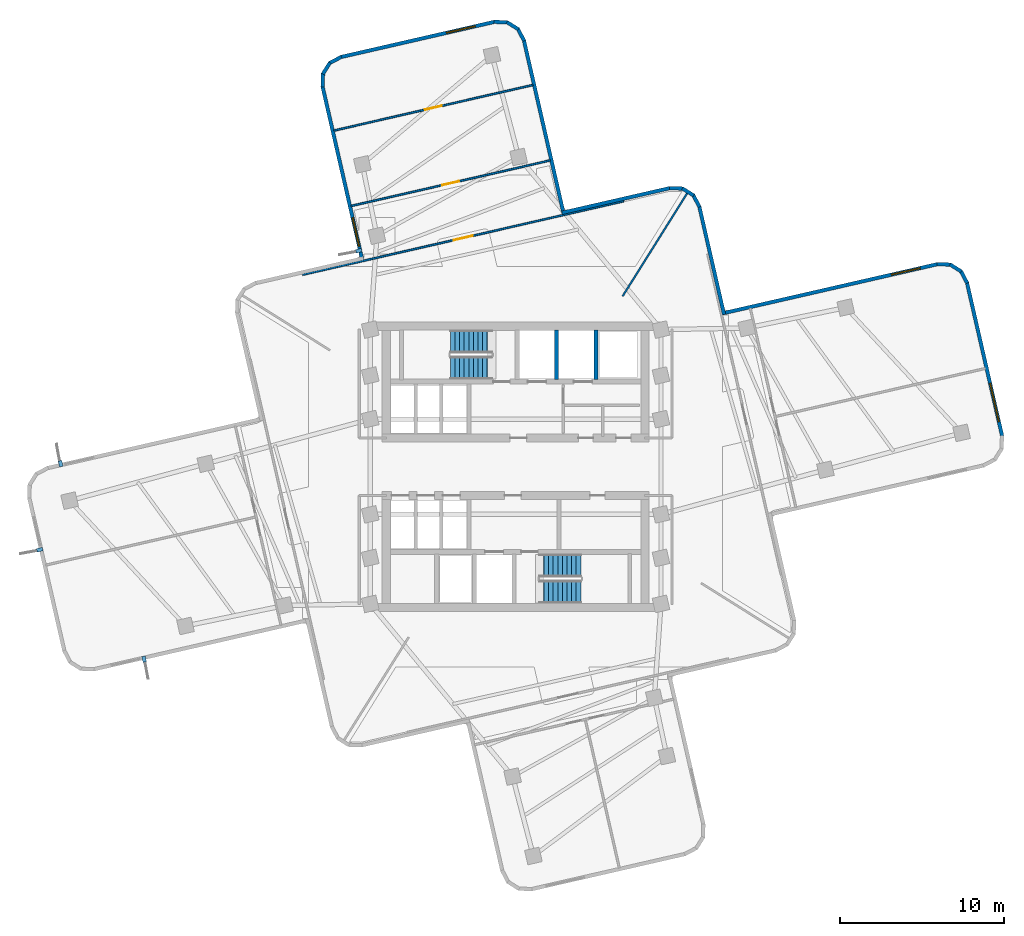
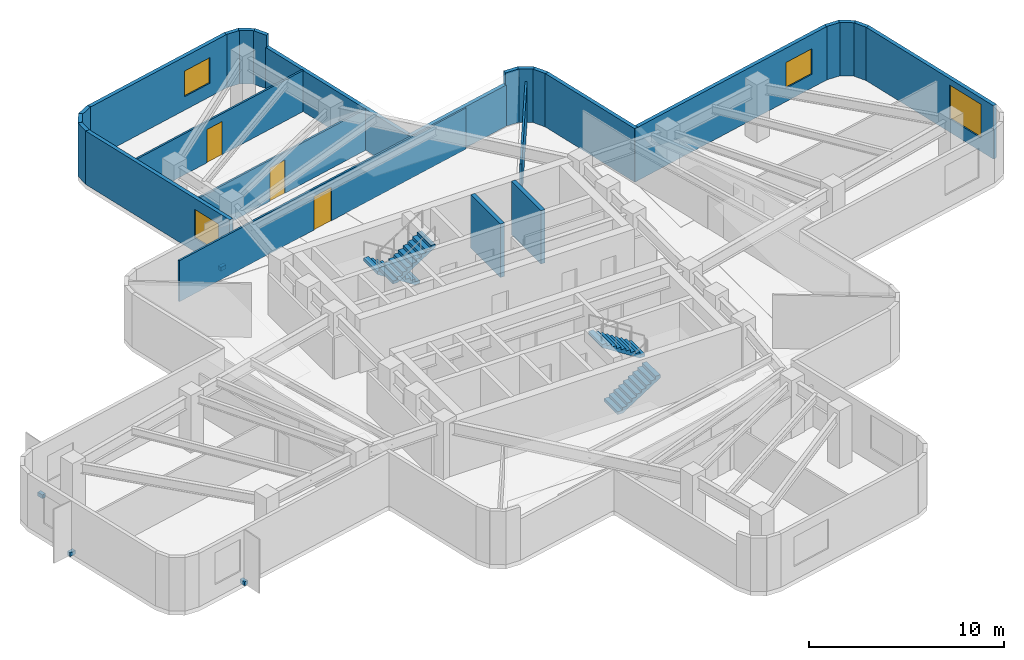
# One storey, part 5 of 7: 25 walls, 4 discrete accessories, 4 stair flights, 4 windows, 3 doors, 7 openings, 2 elements without a shape of their own.
"""IFC4 building model written with IfcOpenShell, lengths in metres."""

from ifc_helpers import new_model, si_unit, direction, frame, frame_2d, origin, origin_2d, place, context, subcontext, project, spatial, polyline, rectangle, outline, extrude, material, layer, layer_set, type_object, element, fill, aggregate, save


model = new_model("IFC4")

# Units and contexts
model_context = context("Model", 3, precision=1e-05, world=origin(), true_north=direction((0.0, 1.0)))
body_context = subcontext(model_context, "Body", "Model", "MODEL_VIEW")
ifc_project = project(units=[si_unit("LENGTHUNIT", "METRE"), si_unit("AREAUNIT", "SQUARE_METRE"), si_unit("VOLUMEUNIT", "CUBIC_METRE"), si_unit("PLANEANGLEUNIT", "RADIAN"), si_unit("MASSUNIT", "GRAM", prefix="KILO")], contexts=[model_context])

# Site, building, storey
site_placement = place(None, origin())
site = spatial("IfcSite", under=ifc_project, at=site_placement, CompositionType="ELEMENT")
building_placement = place(site_placement, origin())
building = spatial("IfcBuilding", under=site, at=building_placement, Name="Solmarez Civic Tower", CompositionType="ELEMENT")
storey_placement = place(building_placement, frame((0.0, 0.0, 116.280029296875)))
storey = spatial("IfcBuildingStorey", under=building, at=storey_placement, Name="L30", CompositionType="ELEMENT", Elevation=116.280029296875)

# Wall, opening, window
ifc_material_1 = material(Name="Precast concrete C40/50", Category="concrete")
ifc_layer_1 = layer(ifc_material_1, 0.219970703125)
ifc_layer_set_1 = layer_set([ifc_layer_1], Name="Precast concrete C40/50")
wall_type_1 = type_object("IfcWallType", Name="WALL-EXT-220", PredefinedType="SOLIDWALL", material=ifc_layer_set_1)
wall_1_placement = place(storey_placement, frame((-9.3349609375, 12.5849609375, 0.0), z_axis=(0.0, 0.0, 1.0), x_axis=(-0.22331741435, 0.974745778369, 0.0)))
wall_1 = element("IfcWall", 1, at=wall_1_placement, inside=storey, type_object=wall_type_1, Name="L30 Exterior Precast Wall 20", PredefinedType="SOLIDWALL", context=body_context, shape_type="SweptSolid", body=[
    extrude(rectangle(XDim=10.859130859375, YDim=0.219970703125, at=frame_2d((5.4296875, 0.0))), origin(), (0.0, 0.0, 1.0), 3.340087890625),
])
opening_1_placement = place(wall_1_placement, frame((0.85009765625, 0.0, 0.85009765625)))
opening_1 = element("IfcOpeningElement", 2, at=opening_1_placement, cuts=wall_1, Name="Opening W-08", PredefinedType="OPENING", context=body_context, shape_type="SweptSolid", body=[
    extrude(rectangle(XDim=1.800048828125, YDim=1.800048828125, at=frame_2d((0.89990234375, 0.89990234375))), frame((0.0, 0.119873046875, 0.0), z_axis=(0.0, -1.0, 0.0), x_axis=(1.0, 0.0, 0.0)), (0.0, 0.0, 1.0), 0.239990234375),
])
ifc_material_2 = material(Name="Solar Control Bronze-Tinted Insulating Glass", Category="glass")
window_type_1 = type_object("IfcWindowType", Name="WIN-1800X1800", PartitioningType="SINGLE_PANEL", PredefinedType="WINDOW", material=ifc_material_2)
window_1_placement = place(opening_1_placement, origin())
window_1 = element("IfcWindow", 3, at=window_1_placement, inside=storey, type_object=window_type_1, Name="L30 Exterior Facade Window 20", OverallHeight=1.800048828125, OverallWidth=1.800048828125, PartitioningType="SINGLE_PANEL", PredefinedType="WINDOW", context=body_context, shape_type="SweptSolid", body=[
    extrude(rectangle(XDim=1.800048828125, YDim=1.800048828125, at=frame_2d((0.89990234375, 0.89990234375))), frame((0.0, 0.030029296875, 0.0), z_axis=(0.0, -1.0, 0.0), x_axis=(1.0, 0.0, 0.0)), (0.0, 0.0, 1.0), 0.06005859375),
])
fill(opening_1, window_1)

# Walls
wall_2_placement = place(storey_placement, frame((-11.7548828125, 23.12109375, 0.0), z_axis=(0.0, 0.0, 1.0), x_axis=(0.036903333482, 0.999318839999, 0.0)))
element("IfcWall", 4, at=wall_2_placement, inside=storey, type_object=wall_type_1, Name="L30 Exterior Precast Wall 21", PredefinedType="SOLIDWALL", context=body_context, shape_type="SweptSolid", body=[
    extrude(rectangle(XDim=0.83349609375, YDim=0.219970703125, at=frame_2d((0.416748046875, 0.0))), origin(), (0.0, 0.0, 1.0), 3.340087890625),
])
wall_3_placement = place(storey_placement, frame((-11.738037109375, 23.907958984375, 0.0), z_axis=(0.0, 0.0, 1.0), x_axis=(0.531096868492, 0.847311109497, 0.0)))
element("IfcWall", 5, at=wall_3_placement, inside=storey, type_object=wall_type_1, Name="L30 Exterior Precast Wall 22", PredefinedType="SOLIDWALL", context=body_context, shape_type="SweptSolid", body=[
    extrude(rectangle(XDim=0.819091796875, YDim=0.219970703125, at=frame_2d((0.40966796875, 0.0))), origin(), (0.0, 0.0, 1.0), 3.340087890625),
])
wall_4_placement = place(storey_placement, frame((-11.337890625, 24.569091796875, 0.0), z_axis=(0.0, 0.0, 1.0), x_axis=(0.883396009524, 0.468627240307, 0.0)))
element("IfcWall", 6, at=wall_4_placement, inside=storey, type_object=wall_type_1, Name="L30 Exterior Precast Wall 23", PredefinedType="SOLIDWALL", context=body_context, shape_type="SweptSolid", body=[
    extrude(rectangle(XDim=0.833984375, YDim=0.219970703125, at=frame_2d((0.4169921875, 0.0))), origin(), (0.0, 0.0, 1.0), 3.340087890625),
])

# Wall, opening, window
wall_5_placement = place(storey_placement, frame((-10.64697265625, 24.94189453125, 0.0), z_axis=(0.0, 0.0, 1.0), x_axis=(0.974725871537, 0.223404286793, 0.0)))
wall_5 = element("IfcWall", 7, at=wall_5_placement, inside=storey, type_object=wall_type_1, Name="L30 Exterior Precast Wall 24", PredefinedType="SOLIDWALL", context=body_context, shape_type="SweptSolid", body=[
    extrude(rectangle(XDim=9.6201171875, YDim=0.219970703125, at=frame_2d((4.81005859375, 0.0))), origin(), (0.0, 0.0, 1.0), 3.340087890625),
])
opening_2_placement = place(wall_5_placement, frame((6.60400390625, 0.0, 0.85009765625)))
opening_2 = element("IfcOpeningElement", 8, at=opening_2_placement, cuts=wall_5, Name="Opening W-12", PredefinedType="OPENING", context=body_context, shape_type="SweptSolid", body=[
    extrude(rectangle(XDim=1.800048828125, YDim=1.60009765625, at=frame_2d((0.89990234375, 0.800048828125))), frame((0.0, 0.119873046875, 0.0), z_axis=(0.0, -1.0, 0.0), x_axis=(1.0, 0.0, 0.0)), (0.0, 0.0, 1.0), 0.239990234375),
])
window_type_2 = type_object("IfcWindowType", Name="WIN-1800X1600", PartitioningType="SINGLE_PANEL", PredefinedType="WINDOW", material=ifc_material_2)
window_2_placement = place(opening_2_placement, origin())
window_2 = element("IfcWindow", 9, at=window_2_placement, inside=storey, type_object=window_type_2, Name="L30 Exterior Facade Window 24", OverallHeight=1.60009765625, OverallWidth=1.800048828125, PartitioningType="SINGLE_PANEL", PredefinedType="WINDOW", context=body_context, shape_type="SweptSolid", body=[
    extrude(rectangle(XDim=1.800048828125, YDim=1.60009765625, at=frame_2d((0.89990234375, 0.800048828125))), frame((0.0, 0.030029296875, 0.0), z_axis=(0.0, -1.0, 0.0), x_axis=(1.0, 0.0, 0.0)), (0.0, 0.0, 1.0), 0.06005859375),
])
fill(opening_2, window_2)

# Walls
wall_6_placement = place(storey_placement, frame((-1.319091796875, 27.0859375, 0.0), z_axis=(0.0, 0.0, 1.0), x_axis=(0.999309614288, -0.037152318798, 0.0)))
element("IfcWall", 10, at=wall_6_placement, inside=storey, type_object=wall_type_1, Name="L30 Exterior Precast Wall 25", PredefinedType="SOLIDWALL", context=body_context, shape_type="SweptSolid", body=[
    extrude(rectangle(XDim=0.83447265625, YDim=0.219970703125, at=frame_2d((0.417236328125, 0.0))), origin(), (0.0, 0.0, 1.0), 3.340087890625),
])
wall_7_placement = place(storey_placement, frame((-0.531005859375, 27.069091796875, 0.0), z_axis=(0.0, 0.0, 1.0), x_axis=(0.847311109497, -0.531096868492, 0.0)))
element("IfcWall", 11, at=wall_7_placement, inside=storey, type_object=wall_type_1, Name="L30 Exterior Precast Wall 26", PredefinedType="SOLIDWALL", context=body_context, shape_type="SweptSolid", body=[
    extrude(rectangle(XDim=0.819091796875, YDim=0.219970703125, at=frame_2d((0.40966796875, 0.0))), origin(), (0.0, 0.0, 1.0), 3.340087890625),
])
wall_8_placement = place(storey_placement, frame((0.1298828125, 26.6689453125, 0.0), z_axis=(0.0, 0.0, 1.0), x_axis=(0.468734444521, -0.883339131092, 0.0)))
element("IfcWall", 12, at=wall_8_placement, inside=storey, type_object=wall_type_1, Name="L30 Exterior Precast Wall 27", PredefinedType="SOLIDWALL", context=body_context, shape_type="SweptSolid", body=[
    extrude(rectangle(XDim=0.83447265625, YDim=0.219970703125, at=frame_2d((0.417236328125, 0.0))), origin(), (0.0, 0.0, 1.0), 3.340087890625),
])
wall_9_placement = place(storey_placement, frame((0.5029296875, 25.97802734375, 0.0), z_axis=(0.0, 0.0, 1.0), x_axis=(0.223251537739, -0.974760868571, 0.0)))
element("IfcWall", 13, at=wall_9_placement, inside=storey, type_object=wall_type_1, Name="L30 Exterior Precast Wall 28", PredefinedType="SOLIDWALL", context=body_context, shape_type="SweptSolid", body=[
    extrude(rectangle(XDim=10.85791015625, YDim=0.219970703125, at=frame_2d((5.428955078125, 0.0))), origin(), (0.0, 0.0, 1.0), 2.570068359375),
])
wall_10_placement = place(storey_placement, frame((2.821044921875, 15.4599609375, 0.0), z_axis=(0.0, 0.0, 1.0), x_axis=(0.974754598481, 0.223278912438, 0.0)))
element("IfcWall", 14, at=wall_10_placement, inside=storey, type_object=wall_type_1, Name="L30 Exterior Precast Wall 31", PredefinedType="SOLIDWALL", context=body_context, shape_type="SweptSolid", body=[
    extrude(rectangle(XDim=6.758544921875, YDim=0.219970703125, at=frame_2d((3.37939453125, 0.0))), origin(), (0.0, 0.0, 1.0), 2.570068359375),
])
wall_11_placement = place(storey_placement, frame((9.360107421875, 16.964111328125, 0.0), z_axis=(0.0, 0.0, 1.0), x_axis=(0.999352376715, -0.035983706773, 0.0)))
element("IfcWall", 15, at=wall_11_placement, inside=storey, type_object=wall_type_1, Name="L30 Exterior Precast Wall 32", PredefinedType="SOLIDWALL", context=body_context, shape_type="SweptSolid", body=[
    extrude(rectangle(XDim=0.83447265625, YDim=0.219970703125, at=frame_2d((0.417236328125, 0.0))), origin(), (0.0, 0.0, 1.0), 3.340087890625),
])
wall_12_placement = place(storey_placement, frame((10.14794921875, 16.947998046875, 0.0), z_axis=(0.0, 0.0, 1.0), x_axis=(0.847311109497, -0.531096868492, 0.0)))
element("IfcWall", 16, at=wall_12_placement, inside=storey, type_object=wall_type_1, Name="L30 Exterior Precast Wall 33", PredefinedType="SOLIDWALL", context=body_context, shape_type="SweptSolid", body=[
    extrude(rectangle(XDim=0.819091796875, YDim=0.219970703125, at=frame_2d((0.40966796875, 0.0))), origin(), (0.0, 0.0, 1.0), 3.340087890625),
])
wall_13_placement = place(storey_placement, frame((10.80908203125, 16.548095703125, 0.0), z_axis=(0.0, 0.0, 1.0), x_axis=(0.468506090516, -0.883460266876, 0.0)))
element("IfcWall", 17, at=wall_13_placement, inside=storey, type_object=wall_type_1, Name="L30 Exterior Precast Wall 34", PredefinedType="SOLIDWALL", context=body_context, shape_type="SweptSolid", body=[
    extrude(rectangle(XDim=0.834228515625, YDim=0.219970703125, at=frame_2d((0.4169921875, 0.0))), origin(), (0.0, 0.0, 1.0), 3.340087890625),
])
wall_14_placement = place(storey_placement, frame((11.181884765625, 15.85693359375, 0.0), z_axis=(0.0, 0.0, 1.0), x_axis=(0.223278912438, -0.974754598481, 0.0)))
element("IfcWall", 18, at=wall_14_placement, inside=storey, type_object=wall_type_1, Name="L30 Exterior Precast Wall 35", PredefinedType="SOLIDWALL", context=body_context, shape_type="SweptSolid", body=[
    extrude(rectangle(XDim=6.758544921875, YDim=0.219970703125, at=frame_2d((3.37939453125, 0.0))), origin(), (0.0, 0.0, 1.0), 3.340087890625),
])

# Wall, opening, window
wall_15_placement = place(storey_placement, frame((12.5849609375, 9.3349609375, 0.0), z_axis=(0.0, 0.0, 1.0), x_axis=(0.974754036658, 0.223281365141, 0.0)))
wall_15 = element("IfcWall", 19, at=wall_15_placement, inside=storey, type_object=wall_type_1, Name="L30 Exterior Precast Wall 38", PredefinedType="SOLIDWALL", context=body_context, shape_type="SweptSolid", body=[
    extrude(rectangle(XDim=13.458984375, YDim=0.219970703125, at=frame_2d((6.7294921875, 0.0))), origin(), (0.0, 0.0, 1.0), 3.340087890625),
])
opening_3_placement = place(wall_15_placement, frame((10.55908203125, 0.0, 0.85009765625)))
opening_3 = element("IfcOpeningElement", 20, at=opening_3_placement, cuts=wall_15, Name="Opening W-12", PredefinedType="OPENING", context=body_context, shape_type="SweptSolid", body=[
    extrude(rectangle(XDim=1.800048828125, YDim=1.60009765625, at=frame_2d((0.89990234375, 0.800048828125))), frame((0.0, 0.119873046875, 0.0), z_axis=(0.0, -1.0, 0.0), x_axis=(1.0, 0.0, 0.0)), (0.0, 0.0, 1.0), 0.239990234375),
])
window_3_placement = place(opening_3_placement, origin())
window_3 = element("IfcWindow", 21, at=window_3_placement, inside=storey, type_object=window_type_2, Name="L30 Exterior Facade Window 38", OverallHeight=1.60009765625, OverallWidth=1.800048828125, PartitioningType="SINGLE_PANEL", PredefinedType="WINDOW", context=body_context, shape_type="SweptSolid", body=[
    extrude(rectangle(XDim=1.800048828125, YDim=1.60009765625, at=frame_2d((0.89990234375, 0.800048828125))), frame((0.0, 0.030029296875, 0.0), z_axis=(0.0, -1.0, 0.0), x_axis=(1.0, 0.0, 0.0)), (0.0, 0.0, 1.0), 0.06005859375),
])
fill(opening_3, window_3)

# Walls
wall_16_placement = place(storey_placement, frame((25.655029296875, 12.3349609375, 0.0), z_axis=(0.0, 0.0, 1.0), x_axis=(0.999352376715, -0.035983706773, 0.0)))
element("IfcWall", 22, at=wall_16_placement, inside=storey, type_object=wall_type_1, Name="L30 Exterior Precast Wall 39", PredefinedType="SOLIDWALL", context=body_context, shape_type="SweptSolid", body=[
    extrude(rectangle(XDim=0.83447265625, YDim=0.219970703125, at=frame_2d((0.417236328125, 0.0))), origin(), (0.0, 0.0, 1.0), 3.340087890625),
])
wall_17_placement = place(storey_placement, frame((26.443115234375, 12.319091796875, 0.0), z_axis=(0.0, 0.0, 1.0), x_axis=(0.846889988853, -0.531768132536, 0.0)))
element("IfcWall", 23, at=wall_17_placement, inside=storey, type_object=wall_type_1, Name="L30 Exterior Precast Wall 40", PredefinedType="SOLIDWALL", context=body_context, shape_type="SweptSolid", body=[
    extrude(rectangle(XDim=0.818115234375, YDim=0.219970703125, at=frame_2d((0.4091796875, 0.0))), origin(), (0.0, 0.0, 1.0), 3.340087890625),
])
wall_18_placement = place(storey_placement, frame((27.10302734375, 11.9189453125, 0.0), z_axis=(0.0, 0.0, 1.0), x_axis=(0.468506090516, -0.883460266876, 0.0)))
element("IfcWall", 24, at=wall_18_placement, inside=storey, type_object=wall_type_1, Name="L30 Exterior Precast Wall 41", PredefinedType="SOLIDWALL", context=body_context, shape_type="SweptSolid", body=[
    extrude(rectangle(XDim=0.834228515625, YDim=0.219970703125, at=frame_2d((0.4169921875, 0.0))), origin(), (0.0, 0.0, 1.0), 3.340087890625),
])

# Wall, opening, window
wall_19_placement = place(storey_placement, frame((27.47607421875, 11.22802734375, 0.0), z_axis=(0.0, 0.0, 1.0), x_axis=(0.223358074049, -0.974736462208, 0.0)))
wall_19 = element("IfcWall", 25, at=wall_19_placement, inside=storey, type_object=wall_type_1, Name="L30 Exterior Precast Wall 42", PredefinedType="SOLIDWALL", context=body_context, shape_type="SweptSolid", body=[
    extrude(rectangle(XDim=9.62109375, YDim=0.219970703125, at=frame_2d((4.810546875, 0.0))), origin(), (0.0, 0.0, 1.0), 3.340087890625),
])
opening_4_placement = place(wall_19_placement, frame((6.303955078125, 0.0, 0.85009765625)))
opening_4 = element("IfcOpeningElement", 26, at=opening_4_placement, cuts=wall_19, Name="Opening W-02", PredefinedType="OPENING", context=body_context, shape_type="SweptSolid", body=[
    extrude(rectangle(XDim=2.39990234375, YDim=2.10009765625, at=frame_2d((1.199951171875, 1.050048828125))), frame((0.0, 0.119873046875, 0.0), z_axis=(0.0, -1.0, 0.0), x_axis=(1.0, 0.0, 0.0)), (0.0, 0.0, 1.0), 0.239990234375),
])
window_type_3 = type_object("IfcWindowType", Name="WIN-2400X2100", PartitioningType="SINGLE_PANEL", PredefinedType="WINDOW", material=ifc_material_2)
window_4_placement = place(opening_4_placement, origin())
window_4 = element("IfcWindow", 27, at=window_4_placement, inside=storey, type_object=window_type_3, Name="L30 Exterior Facade Window 42", OverallHeight=2.10009765625, OverallWidth=2.39990234375, PartitioningType="SINGLE_PANEL", PredefinedType="WINDOW", context=body_context, shape_type="SweptSolid", body=[
    extrude(rectangle(XDim=2.39990234375, YDim=2.10009765625, at=frame_2d((1.199951171875, 1.050048828125))), frame((0.0, 0.030029296875, 0.0), z_axis=(0.0, -1.0, 0.0), x_axis=(1.0, 0.0, 0.0)), (0.0, 0.0, 1.0), 0.06005859375),
])
fill(opening_4, window_4)

# Wall
ifc_material_3 = material(Name="Gypsum Board Acoustic Steel-Stud Partition", Category="steel")
ifc_layer_2 = layer(ifc_material_3, 0.110107421875)
ifc_layer_set_2 = layer_set([ifc_layer_2], Name="Gypsum Board Acoustic Steel-Stud Partition")
wall_type_2 = type_object("IfcWallType", Name="WALL-INT-PART-110", PredefinedType="PARTITIONING", material=ifc_layer_set_2)
wall_20_placement = place(storey_placement, frame((6.511962890625, 10.3798828125, 0.0), z_axis=(0.0, 0.0, 1.0), x_axis=(0.531323053356, 0.847169294163, 0.0)))
element("IfcWall", 28, at=wall_20_placement, inside=storey, type_object=wall_type_2, Name="L30 Interior Partition PT-L30-QDIV-1", PredefinedType="PARTITIONING", context=body_context, shape_type="SweptSolid", body=[
    extrude(rectangle(XDim=7.42138671875, YDim=0.110107421875, at=frame_2d((3.710693359375, 0.0))), origin(), (0.0, 0.0, 1.0), 2.570068359375),
])

# Wall, opening, door
wall_21_placement = place(storey_placement, frame((-12.95703125, 11.69189453125, 0.0), z_axis=(0.0, 0.0, 1.0), x_axis=(0.97475845088, 0.223262093598, 0.0)))
wall_21 = element("IfcWall", 29, at=wall_21_placement, inside=storey, type_object=wall_type_2, Name="L30 Interior Partition PT-L30-N-ENT", PredefinedType="PARTITIONING", context=body_context, shape_type="SweptSolid", body=[
    extrude(rectangle(XDim=20.039794921875, YDim=0.110107421875, at=frame_2d((10.02001953125, 0.0))), origin(), (0.0, 0.0, 1.0), 2.570068359375),
])
opening_5_placement = place(wall_21_placement, frame((9.419921875, 0.0, 0.0)))
opening_5 = element("IfcOpeningElement", 30, at=opening_5_placement, cuts=wall_21, Name="Opening D-11", PredefinedType="OPENING", context=body_context, shape_type="SweptSolid", body=[
    extrude(rectangle(XDim=1.199951171875, YDim=2.10009765625, at=frame_2d((0.60009765625, 1.050048828125))), frame((0.0, 0.06494140625, 0.0), z_axis=(0.0, -1.0, 0.0), x_axis=(1.0, 0.0, 0.0)), (0.0, 0.0, 1.0), 0.130126953125),
])
ifc_material_4 = material(Name="Glazed-Vision Acoustic Chamber Door", Category="wood")
door_type_1 = type_object("IfcDoorType", Name="DOOR-INT-1200", OperationType="NOTDEFINED", PredefinedType="DOOR", material=ifc_material_4)
door_1_placement = place(opening_5_placement, origin())
door_1 = element("IfcDoor", 31, at=door_1_placement, inside=storey, type_object=door_type_1, Name="L30 Civic Seminar Classroom First North Door", OperationType="SINGLE_SWING_LEFT", OverallHeight=2.10009765625, OverallWidth=1.199951171875, PredefinedType="DOOR", context=body_context, shape_type="SweptSolid", body=[
    extrude(rectangle(XDim=1.199951171875, YDim=2.10009765625, at=frame_2d((0.60009765625, 1.050048828125))), frame((0.0, 0.02490234375, 0.0), z_axis=(0.0, -1.0, 0.0), x_axis=(1.0, 0.0, 0.0)), (0.0, 0.0, 1.0), 0.050048828125),
])
fill(opening_5, door_1)

wall_22_placement = place(storey_placement, frame((-10.011962890625, 15.875, 0.0), z_axis=(0.0, 0.0, 1.0), x_axis=(0.974744523099, 0.223322893337, 0.0)))
wall_22 = element("IfcWall", 32, at=wall_22_placement, inside=storey, type_object=wall_type_2, Name="L30 Interior Partition PT-L30-N-SC1", PredefinedType="PARTITIONING", context=body_context, shape_type="SweptSolid", body=[
    extrude(rectangle(XDim=12.429931640625, YDim=0.110107421875, at=frame_2d((6.21484375, 0.0))), origin(), (0.0, 0.0, 1.0), 2.570068359375),
])
opening_6_placement = place(wall_22_placement, frame((5.68994140625, 0.0, 0.0)))
opening_6 = element("IfcOpeningElement", 33, at=opening_6_placement, cuts=wall_22, Name="Opening D-13", PredefinedType="OPENING", context=body_context, shape_type="SweptSolid", body=[
    extrude(rectangle(XDim=1.050048828125, YDim=2.080078125, at=frame_2d((0.52490234375, 1.0400390625))), frame((0.0, 0.06494140625, 0.0), z_axis=(0.0, -1.0, 0.0), x_axis=(1.0, 0.0, 0.0)), (0.0, 0.0, 1.0), 0.130126953125),
])
ifc_material_5 = material(Name="Timber Directorate Office Door", Category="wood")
door_type_2 = type_object("IfcDoorType", Name="DOOR-INT-1050", OperationType="NOTDEFINED", PredefinedType="DOOR", material=ifc_material_5)
door_2_placement = place(opening_6_placement, origin())
door_2 = element("IfcDoor", 34, at=door_2_placement, inside=storey, type_object=door_type_2, Name="L30 Public Law Reading Room North Door", OperationType="SINGLE_SWING_LEFT", OverallHeight=2.080078125, OverallWidth=1.050048828125, PredefinedType="DOOR", context=body_context, shape_type="SweptSolid", body=[
    extrude(rectangle(XDim=1.050048828125, YDim=2.080078125, at=frame_2d((0.52490234375, 1.0400390625))), frame((0.0, 0.02490234375, 0.0), z_axis=(0.0, -1.0, 0.0), x_axis=(1.0, 0.0, 0.0)), (0.0, 0.0, 1.0), 0.050048828125),
])
fill(opening_6, door_2)

wall_23_placement = place(storey_placement, frame((-11.06298828125, 20.466064453125, 0.0), z_axis=(0.0, 0.0, 1.0), x_axis=(0.974744523099, 0.223322893337, 0.0)))
wall_23 = element("IfcWall", 35, at=wall_23_placement, inside=storey, type_object=wall_type_2, Name="L30 Interior Partition PT-L30-N-SC2", PredefinedType="PARTITIONING", context=body_context, shape_type="SweptSolid", body=[
    extrude(rectangle(XDim=12.429931640625, YDim=0.110107421875, at=frame_2d((6.21484375, 0.0))), origin(), (0.0, 0.0, 1.0), 2.570068359375),
])
opening_7_placement = place(wall_23_placement, frame((5.68994140625, 0.0, 0.0)))
opening_7 = element("IfcOpeningElement", 36, at=opening_7_placement, cuts=wall_23, Name="Opening D-13", PredefinedType="OPENING", context=body_context, shape_type="SweptSolid", body=[
    extrude(rectangle(XDim=1.050048828125, YDim=2.080078125, at=frame_2d((0.52490234375, 1.0400390625))), frame((0.0, 0.06494140625, 0.0), z_axis=(0.0, -1.0, 0.0), x_axis=(1.0, 0.0, 0.0)), (0.0, 0.0, 1.0), 0.130126953125),
])
door_3_placement = place(opening_7_placement, origin())
door_3 = element("IfcDoor", 37, at=door_3_placement, inside=storey, type_object=door_type_2, Name="L30 Municipal Co-Working Office North Door", OperationType="SINGLE_SWING_RIGHT", OverallHeight=2.080078125, OverallWidth=1.050048828125, PredefinedType="DOOR", context=body_context, shape_type="SweptSolid", body=[
    extrude(rectangle(XDim=1.050048828125, YDim=2.080078125, at=frame_2d((0.52490234375, 1.0400390625))), frame((0.0, 0.02490234375, 0.0), z_axis=(0.0, -1.0, 0.0), x_axis=(1.0, 0.0, 0.0)), (0.0, 0.0, 1.0), 0.050048828125),
])
fill(opening_7, door_3)

# Walls
ifc_material_6 = material(Name="Concrete C50/60", Category="concrete")
ifc_layer_3 = layer(ifc_material_6, 0.300048828125)
ifc_layer_set_3 = layer_set([ifc_layer_3], Name="Concrete C50/60")
wall_type_3 = type_object("IfcWallType", Name="WALL-STR-300", PredefinedType="SOLIDWALL", material=ifc_layer_set_3)
for number, where, z_axis, x_axis, name in (
    (38, (2.5, 5.300048828125, 0.0), (0.0, 0.0, 1.0), (0.0, 1.0, 0.0), "L30 Split-Core Structural Wall SHW-N2-L30"),
    (39, (4.89990234375, 5.300048828125, 0.0), (0.0, 0.0, 1.0), (0.0, 1.0, 0.0), "L30 Split-Core Structural Wall SHW-N3-L30"),
):
    element("IfcWall", number, at=place(storey_placement, frame(where, z_axis=z_axis, x_axis=x_axis)), inside=storey, type_object=wall_type_3, Name=name, PredefinedType="SOLIDWALL", context=body_context, shape_type="SweptSolid", body=[
        extrude(rectangle(XDim=3.0400390625, YDim=0.25, at=frame_2d((1.52001953125, 0.0))), origin(), (0.0, 0.0, 1.0), 3.340087890625),
    ])

# Stair, stair flights
stair_type = type_object("IfcStairType", Name="STAIR-DOGLEG-140W-20R-1800", PredefinedType="HALF_TURN_STAIR", material=ifc_material_6)
stair_1_placement = place(storey_placement, origin())
stair_1 = element("IfcStair", 40, at=stair_1_placement, inside=storey, type_object=stair_type, Name="L30 North Core Protected Exit Stair ST-1", PredefinedType="HALF_TURN_STAIR")
stair_flight_type = type_object("IfcStairFlightType", Name="FLIGHT-DOGLEG-140W-10R-1800", PredefinedType="STRAIGHT", material=ifc_material_6)
stair_flight_1_placement = place(storey_placement, frame((-1.449951171875, 7.6201171875, 0.0), z_axis=(0.0, 0.0, 1.0), x_axis=(-1.0, 0.0, 0.0)))
stair_flight_1 = element("IfcStairFlight", 41, at=stair_flight_1_placement, type_object=stair_flight_type, Name="ST-1 flight 1", NumberOfRisers=10, NumberOfTreads=9, PredefinedType="STRAIGHT", RiserHeight=0.18, TreadLength=0.28, context=body_context, shape_type="SweptSolid", body=[
    extrude(outline(polyline([(0.0, 0.0), (0.0, 0.179931640625), (0.280029296875, 0.179931640625), (0.280029296875, 0.360107421875), (0.56005859375, 0.360107421875), (0.56005859375, 0.5400390625), (0.840087890625, 0.5400390625), (0.840087890625, 0.719970703125), (1.1201171875, 0.719970703125), (1.1201171875, 0.89990234375), (1.39990234375, 0.89990234375), (1.39990234375, 1.080078125), (1.679931640625, 1.080078125), (1.679931640625, 1.260009765625), (1.9599609375, 1.260009765625), (1.9599609375, 1.43994140625), (2.239990234375, 1.43994140625), (2.239990234375, 1.6201171875), (2.52001953125, 1.6201171875), (2.52001953125, 1.800048828125), (2.52001953125, 1.429931640625), (0.295654296875, 0.0), (0.0, 0.0)])), frame((0.0, 0.699951171875, 0.0), z_axis=(0.0, -1.0, 0.0), x_axis=(1.0, 0.0, 0.0)), (0.0, 0.0, 1.0), 1.39990234375),
])
stair_flight_2_placement = place(storey_placement, frame((-3.969970703125, 6.02001953125, 1.800048828125), z_axis=(0.0, 0.0, 1.0), x_axis=(1.0, 0.0, 0.0)))
stair_flight_2 = element("IfcStairFlight", 42, at=stair_flight_2_placement, type_object=stair_flight_type, Name="ST-1 flight 2", NumberOfRisers=10, NumberOfTreads=9, PredefinedType="STRAIGHT", RiserHeight=0.18, TreadLength=0.28, context=body_context, shape_type="SweptSolid", body=[
    extrude(outline(polyline([(0.0, 0.0), (0.0, 0.179931640625), (0.280029296875, 0.179931640625), (0.280029296875, 0.360107421875), (0.56005859375, 0.360107421875), (0.56005859375, 0.5400390625), (0.840087890625, 0.5400390625), (0.840087890625, 0.719970703125), (1.1201171875, 0.719970703125), (1.1201171875, 0.89990234375), (1.39990234375, 0.89990234375), (1.39990234375, 1.080078125), (1.679931640625, 1.080078125), (1.679931640625, 1.260009765625), (1.9599609375, 1.260009765625), (1.9599609375, 1.43994140625), (2.239990234375, 1.43994140625), (2.239990234375, 1.6201171875), (2.52001953125, 1.6201171875), (2.52001953125, 1.800048828125), (2.52001953125, 1.429931640625), (0.295654296875, 0.0), (0.0, 0.0)])), frame((0.0, 0.699951171875, 0.0), z_axis=(0.0, -1.0, 0.0), x_axis=(1.0, 0.0, 0.0)), (0.0, 0.0, 1.0), 1.39990234375),
])
aggregate(stair_1, [stair_flight_1, stair_flight_2])

stair_2_placement = place(storey_placement, origin())
stair_2 = element("IfcStair", 43, at=stair_2_placement, inside=storey, type_object=stair_type, Name="L30 South Core Protected Exit Stair ST-2", PredefinedType="HALF_TURN_STAIR")
stair_flight_3_placement = place(storey_placement, frame((1.449951171875, -7.6201171875, 0.0), z_axis=(0.0, 0.0, 1.0), x_axis=(1.0, 0.0, 0.0)))
stair_flight_3 = element("IfcStairFlight", 44, at=stair_flight_3_placement, type_object=stair_flight_type, Name="ST-2 flight 1", NumberOfRisers=10, NumberOfTreads=9, PredefinedType="STRAIGHT", RiserHeight=0.18, TreadLength=0.28, context=body_context, shape_type="SweptSolid", body=[
    extrude(outline(polyline([(0.0, 0.0), (0.0, 0.179931640625), (0.280029296875, 0.179931640625), (0.280029296875, 0.360107421875), (0.56005859375, 0.360107421875), (0.56005859375, 0.5400390625), (0.840087890625, 0.5400390625), (0.840087890625, 0.719970703125), (1.1201171875, 0.719970703125), (1.1201171875, 0.89990234375), (1.39990234375, 0.89990234375), (1.39990234375, 1.080078125), (1.679931640625, 1.080078125), (1.679931640625, 1.260009765625), (1.9599609375, 1.260009765625), (1.9599609375, 1.43994140625), (2.239990234375, 1.43994140625), (2.239990234375, 1.6201171875), (2.52001953125, 1.6201171875), (2.52001953125, 1.800048828125), (2.52001953125, 1.429931640625), (0.295654296875, 0.0), (0.0, 0.0)])), frame((0.0, 0.699951171875, 0.0), z_axis=(0.0, -1.0, 0.0), x_axis=(1.0, 0.0, 0.0)), (0.0, 0.0, 1.0), 1.39990234375),
])
stair_flight_4_placement = place(storey_placement, frame((3.969970703125, -6.02001953125, 1.800048828125), z_axis=(0.0, 0.0, 1.0), x_axis=(-1.0, 0.0, 0.0)))
stair_flight_4 = element("IfcStairFlight", 45, at=stair_flight_4_placement, type_object=stair_flight_type, Name="ST-2 flight 2", NumberOfRisers=10, NumberOfTreads=9, PredefinedType="STRAIGHT", RiserHeight=0.18, TreadLength=0.28, context=body_context, shape_type="SweptSolid", body=[
    extrude(outline(polyline([(0.0, 0.0), (0.0, 0.179931640625), (0.280029296875, 0.179931640625), (0.280029296875, 0.360107421875), (0.56005859375, 0.360107421875), (0.56005859375, 0.5400390625), (0.840087890625, 0.5400390625), (0.840087890625, 0.719970703125), (1.1201171875, 0.719970703125), (1.1201171875, 0.89990234375), (1.39990234375, 0.89990234375), (1.39990234375, 1.080078125), (1.679931640625, 1.080078125), (1.679931640625, 1.260009765625), (1.9599609375, 1.260009765625), (1.9599609375, 1.43994140625), (2.239990234375, 1.43994140625), (2.239990234375, 1.6201171875), (2.52001953125, 1.6201171875), (2.52001953125, 1.800048828125), (2.52001953125, 1.429931640625), (0.295654296875, 0.0), (0.0, 0.0)])), frame((0.0, 0.699951171875, 0.0), z_axis=(0.0, -1.0, 0.0), x_axis=(1.0, 0.0, 0.0)), (0.0, 0.0, 1.0), 1.39990234375),
])
aggregate(stair_2, [stair_flight_3, stair_flight_4])

# Discrete accessories
ifc_material_7 = material(Name="Stainless Steel Grade 1.4401", Category="steel")
discrete_accessory_type = type_object("IfcDiscreteAccessoryType", Name="BRACKET-SS-FIN", PredefinedType="BRACKET", material=ifc_material_7)
for number, where, z_axis, x_axis, name in (
    (46, (-22.615966796875, -11.714111328125, -0.06005859375), (0.0, 0.0, 1.0), (0.223217455561, -0.974768673857, 0.0), "L30 Stainless Fin Support Bracket FIN-L30-01"),
    (47, (-28.972900390625, -5.052001953125, -0.06005859375), (0.0, 0.0, 1.0), (-0.974757903284, -0.223264484379, 0.0), "L30 Stainless Fin Support Bracket FIN-L30-02"),
    (48, (-27.700927734375, 0.18994140625, -0.06005859375), (0.0, 0.0, 1.0), (-0.223233760459, 0.974764939968, 0.0), "L30 Stainless Fin Support Bracket FIN-L30-03"),
    (49, (-9.547119140625, 13.152099609375, -0.06005859375), (0.0, 0.0, 1.0), (-0.97476312331, -0.223241692867, 0.0), "L30 Stainless Fin Support Bracket FIN-L30-04"),
):
    element("IfcDiscreteAccessory", number, at=place(storey_placement, frame(where, z_axis=z_axis, x_axis=x_axis)), inside=storey, type_object=discrete_accessory_type, Name=name, PredefinedType="BRACKET", context=body_context, shape_type="SweptSolid", body=[
        extrude(rectangle(XDim=0.360107421875, YDim=0.219970703125, at=origin_2d()), origin(), (0.0, 0.0, 1.0), 0.239990234375),
    ])

save(model, "model.ifc")
